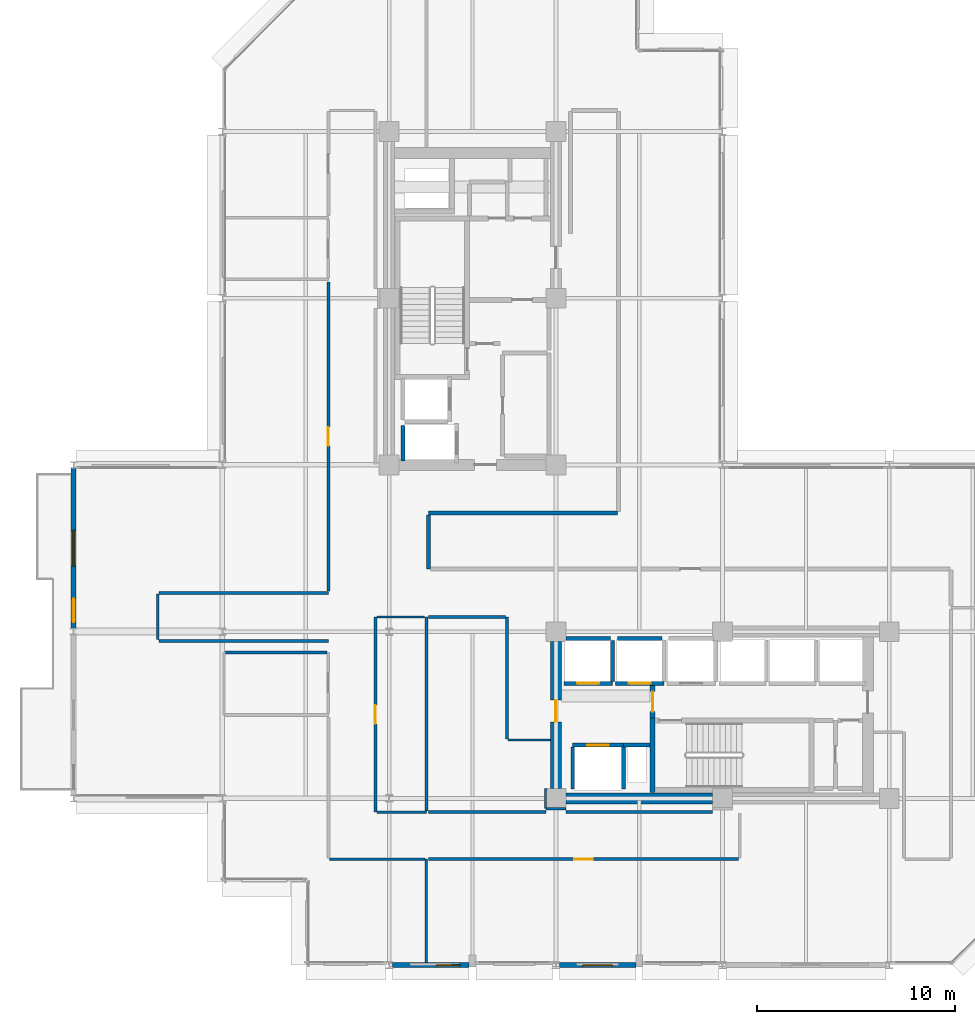
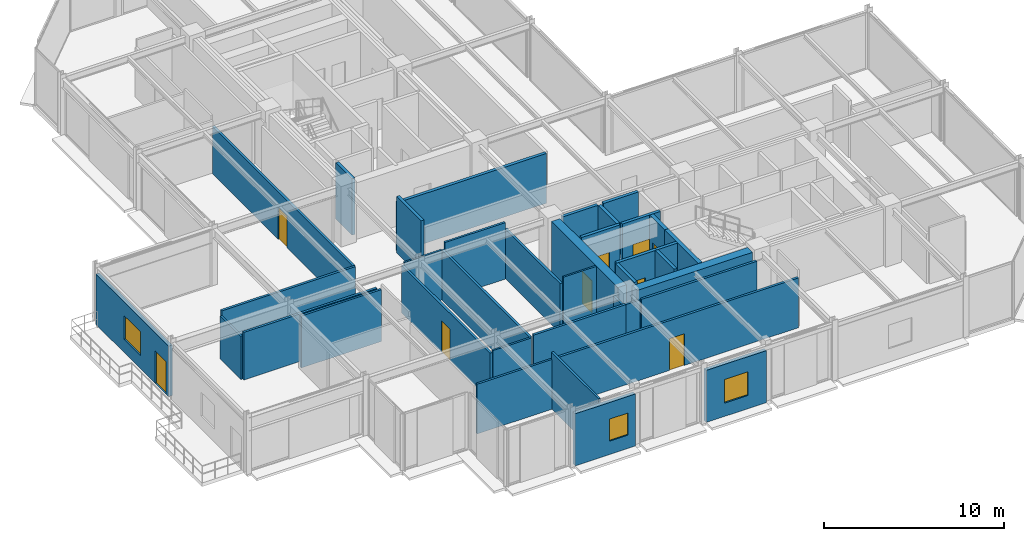
# One storey, part 24 of 29: 38 walls, 9 doors, 3 windows, 12 openings.
"""IFC4 building model written with IfcOpenShell, lengths in metres."""

from ifc_helpers import new_model, si_unit, direction, frame, frame_2d, origin, place, context, subcontext, project, spatial, rectangle, extrude, material, layer, layer_set, type_object, element, fill, save


model = new_model("IFC4")

# Units and contexts
model_context = context("Model", 3, precision=1e-05, world=origin(), true_north=direction((0.0, 1.0)))
body_context = subcontext(model_context, "Body", "Model", "MODEL_VIEW")
ifc_project = project(units=[si_unit("LENGTHUNIT", "METRE"), si_unit("AREAUNIT", "SQUARE_METRE"), si_unit("VOLUMEUNIT", "CUBIC_METRE"), si_unit("PLANEANGLEUNIT", "RADIAN"), si_unit("MASSUNIT", "GRAM", prefix="KILO")], contexts=[model_context])

# Site, building, storey
site_placement = place(None, origin())
site = spatial("IfcSite", under=ifc_project, at=site_placement, CompositionType="ELEMENT")
building_placement = place(site_placement, origin())
building = spatial("IfcBuilding", under=site, at=building_placement, Name="Nerrivon Quay Data Exchange", CompositionType="ELEMENT")
storey_placement = place(building_placement, frame((0.0, 0.0, 179.60009765625)))
storey = spatial("IfcBuildingStorey", under=building, at=storey_placement, Name="L42", CompositionType="ELEMENT", Elevation=179.60009765625)

# Wall, openings, door, window
ifc_material_1 = material(Name="Architectural terracotta precast concrete N50 (50 MPa)", Category="masonry")
ifc_layer_1 = layer(ifc_material_1, 0.239990234375)
ifc_layer_set_1 = layer_set([ifc_layer_1], Name="Architectural terracotta precast concrete N50 (50 MPa)")
wall_type_1 = type_object("IfcWallType", Name="EW-PREC-240", PredefinedType="STANDARD", material=ifc_layer_set_1)
wall_1_placement = place(storey_placement, frame((-7.5, 16.96337890625, 0.0), z_axis=(0.0, 0.0, 1.0), x_axis=(0.0, 1.0, 0.0)))
wall_1 = element("IfcWall", 1, at=wall_1_placement, inside=storey, type_object=wall_type_1, Name="L42 Terrace Host Wall 2", PredefinedType="STANDARD", context=body_context, shape_type="SweptSolid", body=[
    extrude(rectangle(XDim=8.0732421875, YDim=0.239990234375, at=frame_2d((4.03662109375, 0.0))), origin(), (0.0, 0.0, 1.0), 3.421875),
])
opening_1_placement = place(wall_1_placement, frame((0.300048828125, 0.0, 0.0)))
opening_1 = element("IfcOpeningElement", 2, at=opening_1_placement, cuts=wall_1, Name="Opening TD1", PredefinedType="OPENING", context=body_context, shape_type="SweptSolid", body=[
    extrude(rectangle(XDim=1.199951171875, YDim=2.199951171875, at=frame_2d((0.60009765625, 1.10009765625))), frame((0.0, 0.1298828125, 0.0), z_axis=(0.0, -1.0, 0.0), x_axis=(1.0, 0.0, 0.0)), (0.0, 0.0, 1.0), 0.260009765625),
])
opening_2_placement = place(wall_1_placement, frame((3.136474609375, 0.0, 0.89990234375)))
opening_2 = element("IfcOpeningElement", 3, at=opening_2_placement, cuts=wall_1, Name="Opening WN2", PredefinedType="OPENING", context=body_context, shape_type="SweptSolid", body=[
    extrude(rectangle(XDim=1.800048828125, YDim=1.60009765625, at=frame_2d((0.89990234375, 0.800048828125))), frame((0.0, 0.1298828125, 0.0), z_axis=(0.0, -1.0, 0.0), x_axis=(1.0, 0.0, 0.0)), (0.0, 0.0, 1.0), 0.260009765625),
])
ifc_material_2 = material(Name="Double-glazed low-E solar control glass", Category="glass")
door_type_1 = type_object("IfcDoorType", Name="DR-TERR-1200x2200", OperationType="NOTDEFINED", PredefinedType="DOOR", material=ifc_material_2)
door_1_placement = place(opening_1_placement, origin())
door_1 = element("IfcDoor", 4, at=door_1_placement, inside=storey, type_object=door_type_1, Name="L42 Outdoor Terrace Access Door 2", OperationType="SINGLE_SWING_LEFT", OverallHeight=2.199951171875, OverallWidth=1.199951171875, PredefinedType="DOOR", context=body_context, shape_type="SweptSolid", body=[
    extrude(rectangle(XDim=1.199951171875, YDim=2.199951171875, at=frame_2d((0.60009765625, 1.10009765625))), frame((0.0, 0.02490234375, 0.0), z_axis=(0.0, -1.0, 0.0), x_axis=(1.0, 0.0, 0.0)), (0.0, 0.0, 1.0), 0.050048828125),
])
fill(opening_1, door_1)
window_type_1 = type_object("IfcWindowType", Name="WIN-W2-1800x1600", PartitioningType="SINGLE_PANEL", PredefinedType="WINDOW", material=ifc_material_2)
window_1_placement = place(opening_2_placement, origin())
window_1 = element("IfcWindow", 5, at=window_1_placement, inside=storey, type_object=window_type_1, Name="L42 Terrace Side Window 2", OverallHeight=1.60009765625, OverallWidth=1.800048828125, PartitioningType="SINGLE_PANEL", PredefinedType="WINDOW", context=body_context, shape_type="SweptSolid", body=[
    extrude(rectangle(XDim=1.800048828125, YDim=1.60009765625, at=frame_2d((0.89990234375, 0.800048828125))), frame((0.0, 0.030029296875, 0.0), z_axis=(0.0, -1.0, 0.0), x_axis=(1.0, 0.0, 0.0)), (0.0, 0.0, 1.0), 0.06005859375),
])
fill(opening_2, window_1)

# Wall, opening, window
wall_2_placement = place(storey_placement, frame((20.824951171875, 0.0, 0.0), z_axis=(0.0, 0.0, 1.0), x_axis=(-1.0, 0.0, 0.0)))
wall_2 = element("IfcWall", 6, at=wall_2_placement, inside=storey, type_object=wall_type_1, Name="L42 Podium Precast Spandrel Wall 25", PredefinedType="STANDARD", context=body_context, shape_type="SweptSolid", body=[
    extrude(rectangle(XDim=3.849853515625, YDim=0.239990234375, at=frame_2d((1.9248046875, 0.0))), origin(), (0.0, 0.0, 1.0), 3.52490234375),
])
opening_3_placement = place(wall_2_placement, frame((1.175048828125, 0.0, 0.89990234375)))
opening_3 = element("IfcOpeningElement", 7, at=opening_3_placement, cuts=wall_2, Name="Opening WN4", PredefinedType="OPENING", context=body_context, shape_type="SweptSolid", body=[
    extrude(rectangle(XDim=1.5, YDim=1.60009765625, at=frame_2d((0.75, 0.800048828125))), frame((0.0, 0.1298828125, 0.0), z_axis=(0.0, -1.0, 0.0), x_axis=(1.0, 0.0, 0.0)), (0.0, 0.0, 1.0), 0.260009765625),
])
window_type_2 = type_object("IfcWindowType", Name="WIN-W4-1500x1600", PartitioningType="SINGLE_PANEL", PredefinedType="WINDOW", material=ifc_material_2)
window_2_placement = place(opening_3_placement, origin())
window_2 = element("IfcWindow", 8, at=window_2_placement, inside=storey, type_object=window_type_2, Name="L42 Solar Facade Window 25", OverallHeight=1.60009765625, OverallWidth=1.5, PartitioningType="SINGLE_PANEL", PredefinedType="WINDOW", context=body_context, shape_type="SweptSolid", body=[
    extrude(rectangle(XDim=1.5, YDim=1.60009765625, at=frame_2d((0.75, 0.800048828125))), frame((0.0, 0.030029296875, 0.0), z_axis=(0.0, -1.0, 0.0), x_axis=(1.0, 0.0, 0.0)), (0.0, 0.0, 1.0), 0.06005859375),
])
fill(opening_3, window_2)

wall_3_placement = place(storey_placement, frame((12.425048828125, 0.0, 0.0), z_axis=(0.0, 0.0, 1.0), x_axis=(-1.0, 0.0, 0.0)))
wall_3 = element("IfcWall", 9, at=wall_3_placement, inside=storey, type_object=wall_type_1, Name="L42 Podium Precast Spandrel Wall 27", PredefinedType="STANDARD", context=body_context, shape_type="SweptSolid", body=[
    extrude(rectangle(XDim=3.85009765625, YDim=0.239990234375, at=frame_2d((1.925048828125, 0.0))), origin(), (0.0, 0.0, 1.0), 3.52490234375),
])
opening_4_placement = place(wall_3_placement, frame((0.462646484375, 0.0, 0.89990234375)))
opening_4 = element("IfcOpeningElement", 10, at=opening_4_placement, cuts=wall_3, Name="Opening WN3", PredefinedType="OPENING", context=body_context, shape_type="SweptSolid", body=[
    extrude(rectangle(XDim=1.199951171875, YDim=1.5, at=frame_2d((0.60009765625, 0.75))), frame((0.0, 0.1298828125, 0.0), z_axis=(0.0, -1.0, 0.0), x_axis=(1.0, 0.0, 0.0)), (0.0, 0.0, 1.0), 0.260009765625),
])
window_type_3 = type_object("IfcWindowType", Name="WIN-W3-1200x1500", PartitioningType="SINGLE_PANEL", PredefinedType="WINDOW", material=ifc_material_2)
window_3_placement = place(opening_4_placement, origin())
window_3 = element("IfcWindow", 11, at=window_3_placement, inside=storey, type_object=window_type_3, Name="L42 Solar Facade Window 27", OverallHeight=1.5, OverallWidth=1.199951171875, PartitioningType="SINGLE_PANEL", PredefinedType="WINDOW", context=body_context, shape_type="SweptSolid", body=[
    extrude(rectangle(XDim=1.199951171875, YDim=1.5, at=frame_2d((0.60009765625, 0.75))), frame((0.0, 0.030029296875, 0.0), z_axis=(0.0, -1.0, 0.0), x_axis=(1.0, 0.0, 0.0)), (0.0, 0.0, 1.0), 0.06005859375),
])
fill(opening_4, window_3)

# Wall
ifc_material_3 = material(Name="Concrete S65 (65 MPa)", Category="concrete")
ifc_layer_2 = layer(ifc_material_3, 0.550048828125)
ifc_layer_set_2 = layer_set([ifc_layer_2], Name="Concrete S65 (65 MPa)")
wall_type_2 = type_object("IfcWallType", Name="WALL-CW-700", PredefinedType="SHEAR", material=ifc_layer_set_2)
wall_4_placement = place(storey_placement, frame((17.300048828125, 8.39990234375, 0.0), z_axis=(0.0, 0.0, 1.0), x_axis=(1.0, 0.0, 0.0)))
element("IfcWall", 12, at=wall_4_placement, inside=storey, type_object=wall_type_2, Name="L42 East Split-Core Shear Wall ECW-S1", PredefinedType="SHEAR", context=body_context, shape_type="SweptSolid", body=[
    extrude(rectangle(XDim=7.39990234375, YDim=0.550048828125, at=frame_2d((3.699951171875, 0.0))), origin(), (0.0, 0.0, 1.0), 3.824951171875),
])

# Wall, opening, door
wall_5_placement = place(storey_placement, frame((16.800048828125, 8.89990234375, 0.0), z_axis=(0.0, 0.0, 1.0), x_axis=(0.0, 1.0, 0.0)))
wall_5 = element("IfcWall", 13, at=wall_5_placement, inside=storey, type_object=wall_type_2, Name="L42 East Split-Core Shear Wall ECW-W1", PredefinedType="SHEAR", context=body_context, shape_type="SweptSolid", body=[
    extrude(rectangle(XDim=7.400146484375, YDim=0.550048828125, at=frame_2d((3.7001953125, 0.0))), origin(), (0.0, 0.0, 1.0), 3.824951171875),
])
opening_5_placement = place(wall_5_placement, frame((3.35009765625, 0.0, 0.0)))
opening_5 = element("IfcOpeningElement", 14, at=opening_5_placement, cuts=wall_5, Name="Opening FD-120", PredefinedType="OPENING", context=body_context, shape_type="SweptSolid", body=[
    extrude(rectangle(XDim=1.10009765625, YDim=2.14990234375, at=frame_2d((0.550048828125, 1.074951171875))), frame((0.0, 0.284912109375, 0.0), z_axis=(0.0, -1.0, 0.0), x_axis=(1.0, 0.0, 0.0)), (0.0, 0.0, 1.0), 0.570068359375),
])
ifc_material_4 = material(Name="Powder-coated galvanized steel sheet", Category="steel")
door_type_2 = type_object("IfcDoorType", Name="DR-FD120-1100", OperationType="NOTDEFINED", PredefinedType="DOOR", material=ifc_material_4)
door_2_placement = place(opening_5_placement, origin())
door_2 = element("IfcDoor", 15, at=door_2_placement, inside=storey, type_object=door_type_2, Name="L42 East Core Lobby Fire Door", OperationType="SINGLE_SWING_LEFT", OverallHeight=2.14990234375, OverallWidth=1.10009765625, PredefinedType="DOOR", context=body_context, shape_type="SweptSolid", body=[
    extrude(rectangle(XDim=1.10009765625, YDim=2.14990234375, at=frame_2d((0.550048828125, 1.074951171875))), frame((0.0, 0.02490234375, 0.0), z_axis=(0.0, -1.0, 0.0), x_axis=(1.0, 0.0, 0.0)), (0.0, 0.0, 1.0), 0.050048828125),
])
fill(opening_5, door_2)

# Walls
ifc_material_5 = material(Name="Gypsum plasterboard on cold-formed framing", Category="gypsum")
ifc_layer_3 = layer(ifc_material_5, 0.199951171875)
ifc_layer_set_3 = layer_set([ifc_layer_3], Name="Gypsum plasterboard on cold-formed framing")
wall_type_3 = type_object("IfcWallType", Name="WALL-FW-200", PredefinedType="PARTITIONING", material=ifc_layer_set_3)
wall_6_placement = place(storey_placement, frame((20.199951171875, 11.080078125, 0.0), z_axis=(0.0, 0.0, 1.0), x_axis=(1.0, 0.0, 0.0)))
element("IfcWall", 16, at=wall_6_placement, inside=storey, type_object=wall_type_3, Name="L42 East Core MEP Riser Shaft Wall N", PredefinedType="PARTITIONING", context=body_context, shape_type="SweptSolid", body=[
    extrude(rectangle(XDim=1.35009765625, YDim=0.199951171875, at=frame_2d((0.675048828125, 0.0))), origin(), (0.0, 0.0, 1.0), 3.824951171875),
])
wall_7_placement = place(storey_placement, frame((9.10009765625, 25.39990234375, 0.0), z_axis=(0.0, 0.0, 1.0), x_axis=(0.0, 1.0, 0.0)))
element("IfcWall", 17, at=wall_7_placement, inside=storey, type_object=wall_type_3, Name="L42 Lift Shaft Wall SVL-1 WEST", PredefinedType="PARTITIONING", context=body_context, shape_type="SweptSolid", body=[
    extrude(rectangle(XDim=1.800048828125, YDim=0.199951171875, at=frame_2d((0.89990234375, 0.0))), origin(), (0.0, 0.0, 1.0), 3.824951171875),
])

# Wall, opening, door
wall_8_placement = place(storey_placement, frame((17.64990234375, 11.080078125, 0.0), z_axis=(0.0, 0.0, 1.0), x_axis=(1.0, 0.0, 0.0)))
wall_8 = element("IfcWall", 18, at=wall_8_placement, inside=storey, type_object=wall_type_3, Name="L42 Lift Front Wall FFL-2", PredefinedType="PARTITIONING", context=body_context, shape_type="SweptSolid", body=[
    extrude(rectangle(XDim=2.550048828125, YDim=0.199951171875, at=frame_2d((1.27490234375, 0.0))), origin(), (0.0, 0.0, 1.0), 3.824951171875),
])
opening_6_placement = place(wall_8_placement, frame((0.72509765625, 0.0, 0.0)))
opening_6 = element("IfcOpeningElement", 19, at=opening_6_placement, cuts=wall_8, Name="Opening LD-120", PredefinedType="OPENING", context=body_context, shape_type="SweptSolid", body=[
    extrude(rectangle(XDim=1.10009765625, YDim=2.199951171875, at=frame_2d((0.550048828125, 1.10009765625))), frame((0.0, 0.10986328125, 0.0), z_axis=(0.0, -1.0, 0.0), x_axis=(1.0, 0.0, 0.0)), (0.0, 0.0, 1.0), 0.219970703125),
])
door_type_3 = type_object("IfcDoorType", Name="DR-LIFT-LD120", OperationType="DOUBLE_DOOR_SLIDING", PredefinedType="DOOR", material=ifc_material_4)
door_3_placement = place(opening_6_placement, origin())
door_3 = element("IfcDoor", 20, at=door_3_placement, inside=storey, type_object=door_type_3, Name="L42 Lift Landing Sliding Door FFL-2", OperationType="DOUBLE_DOOR_SLIDING", OverallHeight=2.199951171875, OverallWidth=1.10009765625, PredefinedType="DOOR", context=body_context, shape_type="SweptSolid", body=[
    extrude(rectangle(XDim=1.10009765625, YDim=2.199951171875, at=frame_2d((0.550048828125, 1.10009765625))), frame((0.0, 0.02490234375, 0.0), z_axis=(0.0, -1.0, 0.0), x_axis=(1.0, 0.0, 0.0)), (0.0, 0.0, 1.0), 0.050048828125),
])
fill(opening_6, door_3)

# Walls
for number, where, z_axis, x_axis, name in (
    (21, (20.199951171875, 8.8798828125, 0.0), (0.0, 0.0, 1.0), (0.0, 1.0, 0.0), "L42 Lift Shaft Wall FFL-2 EAST"),
    (22, (17.64990234375, 8.8798828125, 0.0), (0.0, 0.0, 1.0), (0.0, 1.0, 0.0), "L42 Lift Shaft Wall FFL-2 WEST"),
):
    element("IfcWall", number, at=place(storey_placement, frame(where, z_axis=z_axis, x_axis=x_axis)), inside=storey, type_object=wall_type_3, Name=name, PredefinedType="PARTITIONING", context=body_context, shape_type="SweptSolid", body=[
        extrude(rectangle(XDim=2.10009765625, YDim=0.199951171875, at=frame_2d((1.050048828125, 0.0))), origin(), (0.0, 0.0, 1.0), 3.824951171875),
    ])

# Wall, opening, door
wall_9_placement = place(storey_placement, frame((17.199951171875, 14.199951171875, 0.0), z_axis=(0.0, 0.0, 1.0), x_axis=(1.0, 0.0, 0.0)))
wall_9 = element("IfcWall", 23, at=wall_9_placement, inside=storey, type_object=wall_type_3, Name="L42 Lift Front Wall PL4", PredefinedType="PARTITIONING", context=body_context, shape_type="SweptSolid", body=[
    extrude(rectangle(XDim=2.449951171875, YDim=0.199951171875, at=frame_2d((1.22509765625, 0.0))), origin(), (0.0, 0.0, 1.0), 3.824951171875),
])
opening_7_placement = place(wall_9_placement, frame((0.675048828125, 0.0, 0.0)))
opening_7 = element("IfcOpeningElement", 24, at=opening_7_placement, cuts=wall_9, Name="Opening LD-120", PredefinedType="OPENING", context=body_context, shape_type="SweptSolid", body=[
    extrude(rectangle(XDim=1.10009765625, YDim=2.199951171875, at=frame_2d((0.550048828125, 1.10009765625))), frame((0.0, 0.10986328125, 0.0), z_axis=(0.0, -1.0, 0.0), x_axis=(1.0, 0.0, 0.0)), (0.0, 0.0, 1.0), 0.219970703125),
])
door_4_placement = place(opening_7_placement, origin())
door_4 = element("IfcDoor", 25, at=door_4_placement, inside=storey, type_object=door_type_3, Name="L42 Lift Landing Sliding Door PL4", OperationType="DOUBLE_DOOR_SLIDING", OverallHeight=2.199951171875, OverallWidth=1.10009765625, PredefinedType="DOOR", context=body_context, shape_type="SweptSolid", body=[
    extrude(rectangle(XDim=1.10009765625, YDim=2.199951171875, at=frame_2d((0.550048828125, 1.10009765625))), frame((0.0, 0.02490234375, 0.0), z_axis=(0.0, -1.0, 0.0), x_axis=(1.0, 0.0, 0.0)), (0.0, 0.0, 1.0), 0.050048828125),
])
fill(opening_7, door_4)

# Walls
wall_10_placement = place(storey_placement, frame((19.64990234375, 14.300048828125, 0.0), z_axis=(0.0, 0.0, 1.0), x_axis=(0.0, 1.0, 0.0)))
element("IfcWall", 26, at=wall_10_placement, inside=storey, type_object=wall_type_3, Name="L42 Lift Shaft Wall PL4 EAST", PredefinedType="PARTITIONING", context=body_context, shape_type="SweptSolid", body=[
    extrude(rectangle(XDim=2.050048828125, YDim=0.199951171875, at=frame_2d((1.02490234375, 0.0))), origin(), (0.0, 0.0, 1.0), 3.824951171875),
])
wall_11_placement = place(storey_placement, frame((17.300048828125, 16.449951171875, 0.0), z_axis=(0.0, 0.0, 1.0), x_axis=(1.0, 0.0, 0.0)))
element("IfcWall", 27, at=wall_11_placement, inside=storey, type_object=wall_type_3, Name="L42 Lift Shaft Wall PL4 NORTH", PredefinedType="PARTITIONING", context=body_context, shape_type="SweptSolid", body=[
    extrude(rectangle(XDim=2.25, YDim=0.199951171875, at=frame_2d((1.125, 0.0))), origin(), (0.0, 0.0, 1.0), 3.824951171875),
])

# Wall, opening, door
wall_12_placement = place(storey_placement, frame((19.800048828125, 14.199951171875, 0.0), z_axis=(0.0, 0.0, 1.0), x_axis=(1.0, 0.0, 0.0)))
wall_12 = element("IfcWall", 28, at=wall_12_placement, inside=storey, type_object=wall_type_3, Name="L42 Lift Front Wall PL5", PredefinedType="PARTITIONING", context=body_context, shape_type="SweptSolid", body=[
    extrude(rectangle(XDim=2.449951171875, YDim=0.199951171875, at=frame_2d((1.22509765625, 0.0))), origin(), (0.0, 0.0, 1.0), 3.824951171875),
])
opening_8_placement = place(wall_12_placement, frame((0.675048828125, 0.0, 0.0)))
opening_8 = element("IfcOpeningElement", 29, at=opening_8_placement, cuts=wall_12, Name="Opening LD-120", PredefinedType="OPENING", context=body_context, shape_type="SweptSolid", body=[
    extrude(rectangle(XDim=1.10009765625, YDim=2.199951171875, at=frame_2d((0.550048828125, 1.10009765625))), frame((0.0, 0.10986328125, 0.0), z_axis=(0.0, -1.0, 0.0), x_axis=(1.0, 0.0, 0.0)), (0.0, 0.0, 1.0), 0.219970703125),
])
door_5_placement = place(opening_8_placement, origin())
door_5 = element("IfcDoor", 30, at=door_5_placement, inside=storey, type_object=door_type_3, Name="L42 Lift Landing Sliding Door PL5", OperationType="DOUBLE_DOOR_SLIDING", OverallHeight=2.199951171875, OverallWidth=1.10009765625, PredefinedType="DOOR", context=body_context, shape_type="SweptSolid", body=[
    extrude(rectangle(XDim=1.10009765625, YDim=2.199951171875, at=frame_2d((0.550048828125, 1.10009765625))), frame((0.0, 0.02490234375, 0.0), z_axis=(0.0, -1.0, 0.0), x_axis=(1.0, 0.0, 0.0)), (0.0, 0.0, 1.0), 0.050048828125),
])
fill(opening_8, door_5)

# Walls
wall_13_placement = place(storey_placement, frame((19.89990234375, 16.449951171875, 0.0), z_axis=(0.0, 0.0, 1.0), x_axis=(1.0, 0.0, 0.0)))
element("IfcWall", 31, at=wall_13_placement, inside=storey, type_object=wall_type_3, Name="L42 Lift Shaft Wall PL5 NORTH", PredefinedType="PARTITIONING", context=body_context, shape_type="SweptSolid", body=[
    extrude(rectangle(XDim=2.25, YDim=0.199951171875, at=frame_2d((1.125, 0.0))), origin(), (0.0, 0.0, 1.0), 3.824951171875),
])
wall_14_placement = place(storey_placement, frame((19.89990234375, 22.7900390625, 0.0), z_axis=(0.0, 0.0, 1.0), x_axis=(-1.0, 0.0, 0.0)))
element("IfcWall", 32, at=wall_14_placement, inside=storey, type_object=wall_type_3, Name="L42 Partition Colocation Data Workspace 1", PredefinedType="PARTITIONING", context=body_context, shape_type="SweptSolid", body=[
    extrude(rectangle(XDim=9.510009765625, YDim=0.199951171875, at=frame_2d((4.7548828125, 0.0))), origin(), (0.0, 0.0, 1.0), 3.370849609375),
])
wall_15_placement = place(storey_placement, frame((10.389892578125, 22.68603515625, 0.0), z_axis=(0.0, 0.0, 1.0), x_axis=(0.0, -1.0, 0.0)))
element("IfcWall", 33, at=wall_15_placement, inside=storey, type_object=wall_type_3, Name="L42 Partition Colocation Data Workspace 1", PredefinedType="PARTITIONING", context=body_context, shape_type="SweptSolid", body=[
    extrude(rectangle(XDim=2.72607421875, YDim=0.199951171875, at=frame_2d((1.363037109375, 0.0))), origin(), (0.0, 0.0, 1.0), 3.824951171875),
])
ifc_layer_4 = layer(ifc_material_5, 0.1201171875)
ifc_layer_set_4 = layer_set([ifc_layer_4], Name="Gypsum plasterboard on cold-formed framing")
wall_type_4 = type_object("IfcWallType", Name="WALL-PT-120", PredefinedType="PARTITIONING", material=ifc_layer_set_4)
wall_16_placement = place(storey_placement, frame((7.7890625, 7.7099609375, 0.0), z_axis=(0.0, 0.0, 1.0), x_axis=(1.0, 0.0, 0.0)))
element("IfcWall", 34, at=wall_16_placement, inside=storey, type_object=wall_type_4, Name="L42 Partition Staff Pantry", PredefinedType="PARTITIONING", context=body_context, shape_type="SweptSolid", body=[
    extrude(rectangle(XDim=2.480712890625, YDim=0.1201171875, at=frame_2d((1.240234375, 0.0))), origin(), (0.0, 0.0, 1.0), 3.370849609375),
])
wall_17_placement = place(storey_placement, frame((10.19091796875, 17.5400390625, 0.0), z_axis=(0.0, 0.0, 1.0), x_axis=(-1.0, 0.0, 0.0)))
element("IfcWall", 35, at=wall_17_placement, inside=storey, type_object=wall_type_4, Name="L42 Partition Staff Pantry", PredefinedType="PARTITIONING", context=body_context, shape_type="SweptSolid", body=[
    extrude(rectangle(XDim=2.40185546875, YDim=0.1201171875, at=frame_2d((1.200927734375, 0.0))), origin(), (0.0, 0.0, 1.0), 3.370849609375),
])
wall_18_placement = place(storey_placement, frame((-3.259765625, 16.39404296875, 0.0), z_axis=(0.0, 0.0, 1.0), x_axis=(-0.000105876124, 0.999999994395, 0.0)))
element("IfcWall", 36, at=wall_18_placement, inside=storey, type_object=wall_type_4, Name="L42 Partition Mail and Crew Room", PredefinedType="PARTITIONING", context=body_context, shape_type="SweptSolid", body=[
    extrude(rectangle(XDim=2.305908203125, YDim=0.1201171875, at=frame_2d((1.15283203125, 0.0))), origin(), (0.0, 0.0, 1.0), 2.914794921875),
])
wall_19_placement = place(storey_placement, frame((17.303955078125, 7.88037109375, 0.0), z_axis=(0.0, 0.0, 1.0), x_axis=(-0.999999881717, -0.000486381265, 0.0)))
element("IfcWall", 37, at=wall_19_placement, inside=storey, type_object=wall_type_4, Name="L42 Partition Technical Library", PredefinedType="PARTITIONING", context=body_context, shape_type="SweptSolid", body=[
    extrude(rectangle(XDim=1.00390625, YDim=0.1201171875, at=frame_2d((0.501953125, 0.0))), origin(), (0.0, 0.0, 1.0), 3.370849609375),
])
wall_20_placement = place(storey_placement, frame((16.280029296875, 7.89990234375, 0.0), z_axis=(0.0, 0.0, 1.0), x_axis=(0.000486381265, 0.999999881717, 0.0)))
element("IfcWall", 38, at=wall_20_placement, inside=storey, type_object=wall_type_4, Name="L42 Partition Technical Library", PredefinedType="PARTITIONING", context=body_context, shape_type="SweptSolid", body=[
    extrude(rectangle(XDim=1.00390625, YDim=0.1201171875, at=frame_2d((0.501953125, 0.0))), origin(), (0.0, 0.0, 1.0), 3.364990234375),
])
wall_21_placement = place(storey_placement, frame((16.52099609375, 11.340087890625, 0.0), z_axis=(0.0, 0.0, 1.0), x_axis=(-1.0, 0.0, 0.0)))
element("IfcWall", 39, at=wall_21_placement, inside=storey, type_object=wall_type_4, Name="L42 Partition Technical Library", PredefinedType="PARTITIONING", context=body_context, shape_type="SweptSolid", body=[
    extrude(rectangle(XDim=2.12109375, YDim=0.1201171875, at=frame_2d((1.060546875, 0.0))), origin(), (0.0, 0.0, 1.0), 3.824951171875),
])
ifc_layer_5 = layer(ifc_material_5, 0.135009765625)
ifc_layer_set_5 = layer_set([ifc_layer_5], Name="Gypsum plasterboard on cold-formed framing")
wall_type_5 = type_object("IfcWallType", Name="WALL-PT-135", PredefinedType="PARTITIONING", material=ifc_layer_set_5)
wall_22_placement = place(storey_placement, frame((5.27587890625, 15.75, 0.0), z_axis=(0.0, 0.0, 1.0), x_axis=(-1.0, 0.0, 0.0)))
element("IfcWall", 40, at=wall_22_placement, inside=storey, type_object=wall_type_5, Name="L42 Partition Accessible Toilet", PredefinedType="PARTITIONING", context=body_context, shape_type="SweptSolid", body=[
    extrude(rectangle(XDim=5.1318359375, YDim=0.135009765625, at=frame_2d((2.56591796875, 0.0))), origin(), (0.0, 0.0, 1.0), 3.517822265625),
])
wall_23_placement = place(storey_placement, frame((10.269775390625, 0.1240234375, 0.0), z_axis=(0.0, 0.0, 1.0), x_axis=(0.0, 1.0, 0.0)))
element("IfcWall", 41, at=wall_23_placement, inside=storey, type_object=wall_type_5, Name="L42 Partition Mail and Crew Room", PredefinedType="PARTITIONING", context=body_context, shape_type="SweptSolid", body=[
    extrude(rectangle(XDim=5.216064453125, YDim=0.135009765625, at=frame_2d((2.60791015625, 0.0))), origin(), (0.0, 0.0, 1.0), 3.824951171875),
])
wall_24_placement = place(storey_placement, frame((10.1982421875, 5.340087890625, 0.0), z_axis=(0.0, 0.0, 1.0), x_axis=(-1.0, 0.0, 0.0)))
element("IfcWall", 42, at=wall_24_placement, inside=storey, type_object=wall_type_5, Name="L42 Partition Mail and Crew Room", PredefinedType="PARTITIONING", context=body_context, shape_type="SweptSolid", body=[
    extrude(rectangle(XDim=4.79833984375, YDim=0.135009765625, at=frame_2d((2.399169921875, 0.0))), origin(), (0.0, 0.0, 1.0), 3.370849609375),
])
wall_25_placement = place(storey_placement, frame((14.260986328125, 17.5400390625, 0.0), z_axis=(0.0, 0.0, 1.0), x_axis=(-1.0, 0.0, 0.0)))
element("IfcWall", 43, at=wall_25_placement, inside=storey, type_object=wall_type_5, Name="L42 Partition Technical Library", PredefinedType="PARTITIONING", context=body_context, shape_type="SweptSolid", body=[
    extrude(rectangle(XDim=3.87109375, YDim=0.135009765625, at=frame_2d((1.935546875, 0.0))), origin(), (0.0, 0.0, 1.0), 3.824951171875),
])

# Wall, opening, door
ifc_layer_6 = layer(ifc_material_5, 0.14990234375)
ifc_layer_set_6 = layer_set([ifc_layer_6], Name="Gypsum plasterboard on cold-formed framing")
wall_type_6 = type_object("IfcWallType", Name="WALL-PT-150", PredefinedType="PARTITIONING", material=ifc_layer_set_6)
wall_26_placement = place(storey_placement, frame((7.7099609375, 17.5400390625, 0.0), z_axis=(0.0, 0.0, 1.0), x_axis=(0.0, -1.0, 0.0)))
wall_26 = element("IfcWall", 44, at=wall_26_placement, inside=storey, type_object=wall_type_6, Name="L42 Partition Staff Pantry", PredefinedType="PARTITIONING", context=body_context, shape_type="SweptSolid", body=[
    extrude(rectangle(XDim=9.830078125, YDim=0.14990234375, at=frame_2d((4.9150390625, 0.0))), origin(), (0.0, 0.0, 1.0), 3.212890625),
])
opening_9_placement = place(wall_26_placement, frame((4.43994140625, 0.0, 0.0)))
opening_9 = element("IfcOpeningElement", 45, at=opening_9_placement, cuts=wall_26, Name="Opening D-01", PredefinedType="OPENING", context=body_context, shape_type="SweptSolid", body=[
    extrude(rectangle(XDim=0.949951171875, YDim=2.14990234375, at=frame_2d((0.47509765625, 1.074951171875))), frame((0.0, 0.0849609375, 0.0), z_axis=(0.0, -1.0, 0.0), x_axis=(1.0, 0.0, 0.0)), (0.0, 0.0, 1.0), 0.169921875),
])
ifc_material_6 = material(Name="Engineered hardwood timber", Category="wood")
door_type_4 = type_object("IfcDoorType", Name="DR-INT-950", OperationType="NOTDEFINED", PredefinedType="DOOR", material=ifc_material_6)
door_6_placement = place(opening_9_placement, origin())
door_6 = element("IfcDoor", 46, at=door_6_placement, inside=storey, type_object=door_type_4, Name="L42 Door Staff Pantry", OperationType="SINGLE_SWING_RIGHT", OverallHeight=2.14990234375, OverallWidth=0.949951171875, PredefinedType="DOOR", context=body_context, shape_type="SweptSolid", body=[
    extrude(rectangle(XDim=0.949951171875, YDim=2.14990234375, at=frame_2d((0.47509765625, 1.074951171875))), frame((0.0, 0.02490234375, 0.0), z_axis=(0.0, -1.0, 0.0), x_axis=(1.0, 0.0, 0.0)), (0.0, 0.0, 1.0), 0.050048828125),
])
fill(opening_9, door_6)

# Walls
wall_27_placement = place(storey_placement, frame((10.269775390625, 7.77392578125, 0.0), z_axis=(0.0, 0.0, 1.0), x_axis=(0.0, 1.0, 0.0)))
element("IfcWall", 47, at=wall_27_placement, inside=storey, type_object=wall_type_6, Name="L42 Partition Staff Pantry", PredefinedType="PARTITIONING", context=body_context, shape_type="SweptSolid", body=[
    extrude(rectangle(XDim=9.76611328125, YDim=0.14990234375, at=frame_2d((4.883056640625, 0.0))), origin(), (0.0, 0.0, 1.0), 3.364990234375),
])
for number, where, z_axis, x_axis, name in (
    (48, (5.340087890625, 16.340087890625, 0.0), (0.0, 0.0, 1.0), (-1.0, 0.0, 0.0), "L42 Partition Mail and Crew Room"),
    (49, (-3.199951171875, 18.760009765625, 0.0), (0.0, 0.0, 1.0), (1.0, 0.0, 0.0), "L42 Partition Mail and Crew Room"),
):
    element("IfcWall", number, at=place(storey_placement, frame(where, z_axis=z_axis, x_axis=x_axis)), inside=storey, type_object=wall_type_6, Name=name, PredefinedType="PARTITIONING", context=body_context, shape_type="SweptSolid", body=[
        extrude(rectangle(XDim=8.5400390625, YDim=0.14990234375, at=frame_2d((4.27001953125, 0.0))), origin(), (0.0, 0.0, 1.0), 3.222900390625),
    ])

# Wall, opening, door
wall_28_placement = place(storey_placement, frame((5.340087890625, 18.839111328125, 0.0), z_axis=(0.0, 0.0, 1.0), x_axis=(0.0, 1.0, 0.0)))
wall_28 = element("IfcWall", 50, at=wall_28_placement, inside=storey, type_object=wall_type_6, Name="L42 Partition Mail and Crew Room", PredefinedType="PARTITIONING", context=body_context, shape_type="SweptSolid", body=[
    extrude(rectangle(XDim=15.5908203125, YDim=0.14990234375, at=frame_2d((7.79541015625, 0.0))), origin(), (0.0, 0.0, 1.0), 3.212890625),
])
opening_10_placement = place(wall_28_placement, frame((7.320556640625, 0.0, 0.0)))
opening_10 = element("IfcOpeningElement", 51, at=opening_10_placement, cuts=wall_28, Name="Opening D-01", PredefinedType="OPENING", context=body_context, shape_type="SweptSolid", body=[
    extrude(rectangle(XDim=0.949951171875, YDim=2.14990234375, at=frame_2d((0.47509765625, 1.074951171875))), frame((0.0, 0.0849609375, 0.0), z_axis=(0.0, -1.0, 0.0), x_axis=(1.0, 0.0, 0.0)), (0.0, 0.0, 1.0), 0.169921875),
])
door_7_placement = place(opening_10_placement, origin())
door_7 = element("IfcDoor", 52, at=door_7_placement, inside=storey, type_object=door_type_4, Name="L42 Door Mail and Crew Room", OperationType="SINGLE_SWING_RIGHT", OverallHeight=2.14990234375, OverallWidth=0.949951171875, PredefinedType="DOOR", context=body_context, shape_type="SweptSolid", body=[
    extrude(rectangle(XDim=0.949951171875, YDim=2.14990234375, at=frame_2d((0.47509765625, 1.074951171875))), frame((0.0, 0.02490234375, 0.0), z_axis=(0.0, -1.0, 0.0), x_axis=(1.0, 0.0, 0.0)), (0.0, 0.0, 1.0), 0.050048828125),
])
fill(opening_10, door_7)

wall_29_placement = place(storey_placement, frame((26.0, 5.340087890625, 0.0), z_axis=(0.0, 0.0, 1.0), x_axis=(-1.0, 0.0, 0.0)))
wall_29 = element("IfcWall", 53, at=wall_29_placement, inside=storey, type_object=wall_type_6, Name="L42 Partition Technical Library", PredefinedType="PARTITIONING", context=body_context, shape_type="SweptSolid", body=[
    extrude(rectangle(XDim=15.610107421875, YDim=0.14990234375, at=frame_2d((7.80517578125, 0.0))), origin(), (0.0, 0.0, 1.0), 3.370849609375),
])
opening_11_placement = place(wall_29_placement, frame((7.330078125, 0.0, 0.0)))
opening_11 = element("IfcOpeningElement", 54, at=opening_11_placement, cuts=wall_29, Name="Opening D-01", PredefinedType="OPENING", context=body_context, shape_type="SweptSolid", body=[
    extrude(rectangle(XDim=0.949951171875, YDim=2.14990234375, at=frame_2d((0.47509765625, 1.074951171875))), frame((0.0, 0.0849609375, 0.0), z_axis=(0.0, -1.0, 0.0), x_axis=(1.0, 0.0, 0.0)), (0.0, 0.0, 1.0), 0.169921875),
])
door_8_placement = place(opening_11_placement, origin())
door_8 = element("IfcDoor", 55, at=door_8_placement, inside=storey, type_object=door_type_4, Name="L42 Door Technical Library", OperationType="SINGLE_SWING_LEFT", OverallHeight=2.14990234375, OverallWidth=0.949951171875, PredefinedType="DOOR", context=body_context, shape_type="SweptSolid", body=[
    extrude(rectangle(XDim=0.949951171875, YDim=2.14990234375, at=frame_2d((0.47509765625, 1.074951171875))), frame((0.0, 0.02490234375, 0.0), z_axis=(0.0, -1.0, 0.0), x_axis=(1.0, 0.0, 0.0)), (0.0, 0.0, 1.0), 0.050048828125),
])
fill(opening_11, door_8)

# Walls
wall_30_placement = place(storey_placement, frame((14.340087890625, 11.39990234375, 0.0), z_axis=(0.0, 0.0, 1.0), x_axis=(0.0, 1.0, 0.0)))
element("IfcWall", 56, at=wall_30_placement, inside=storey, type_object=wall_type_6, Name="L42 Partition Technical Library", PredefinedType="PARTITIONING", context=body_context, shape_type="SweptSolid", body=[
    extrude(rectangle(XDim=6.14013671875, YDim=0.14990234375, at=frame_2d((3.070068359375, 0.0))), origin(), (0.0, 0.0, 1.0), 3.364990234375),
])
wall_31_placement = place(storey_placement, frame((10.389892578125, 7.7099609375, 0.0), z_axis=(0.0, 0.0, 1.0), x_axis=(1.0, 0.0, 0.0)))
element("IfcWall", 57, at=wall_31_placement, inside=storey, type_object=wall_type_6, Name="L42 Partition Technical Library", PredefinedType="PARTITIONING", context=body_context, shape_type="SweptSolid", body=[
    extrude(rectangle(XDim=5.91015625, YDim=0.14990234375, at=frame_2d((2.955078125, 0.0))), origin(), (0.0, 0.0, 1.0), 3.517822265625),
])
wall_32_placement = place(storey_placement, frame((17.303955078125, 7.7099609375, 0.0), z_axis=(0.0, 0.0, 1.0), x_axis=(1.0, 0.0, 0.0)))
element("IfcWall", 58, at=wall_32_placement, inside=storey, type_object=wall_type_6, Name="L42 Partition Technical Library", PredefinedType="PARTITIONING", context=body_context, shape_type="SweptSolid", body=[
    extrude(rectangle(XDim=7.396240234375, YDim=0.14990234375, at=frame_2d((3.6982421875, 0.0))), origin(), (0.0, 0.0, 1.0), 3.517822265625),
])
ifc_material_7 = material(Name="Concrete N50 (50 MPa)", Category="concrete")
ifc_layer_7 = layer(ifc_material_7, 0.25)
ifc_layer_set_7 = layer_set([ifc_layer_7], Name="Concrete N50 (50 MPa)")
wall_type_7 = type_object("IfcWallType", Name="WALL-SW-250", PredefinedType="SHEAR", material=ifc_layer_set_7)
wall_33_placement = place(storey_placement, frame((21.675048828125, 8.699951171875, 0.0), z_axis=(0.0, 0.0, 1.0), x_axis=(0.0, 1.0, 0.0)))
element("IfcWall", 59, at=wall_33_placement, inside=storey, type_object=wall_type_7, Name="L42 ST02 Structural Stair Core Wall NEAR", PredefinedType="SHEAR", context=body_context, shape_type="SweptSolid", body=[
    extrude(rectangle(XDim=3.75, YDim=0.25, at=frame_2d((1.875, 0.0))), origin(), (0.0, 0.0, 1.0), 3.824951171875),
])

# Wall, opening, door
wall_34_placement = place(storey_placement, frame((21.679931640625, 12.449951171875, 0.0), z_axis=(0.0, 0.0, 1.0), x_axis=(0.0, 1.0, 0.0)))
wall_34 = element("IfcWall", 60, at=wall_34_placement, inside=storey, type_object=wall_type_7, Name="L42 East Firefighting Lobby Wall", PredefinedType="SHEAR", context=body_context, shape_type="SweptSolid", body=[
    extrude(rectangle(XDim=1.650146484375, YDim=0.25, at=frame_2d((0.8251953125, 0.0))), origin(), (0.0, 0.0, 1.0), 3.824951171875),
])
opening_12_placement = place(wall_34_placement, frame((0.324951171875, 0.0, 0.0)))
opening_12 = element("IfcOpeningElement", 61, at=opening_12_placement, cuts=wall_34, Name="Opening FD-60", PredefinedType="OPENING", context=body_context, shape_type="SweptSolid", body=[
    extrude(rectangle(XDim=1.0, YDim=2.14990234375, at=frame_2d((0.5, 1.074951171875))), frame((0.0, 0.135009765625, 0.0), z_axis=(0.0, -1.0, 0.0), x_axis=(1.0, 0.0, 0.0)), (0.0, 0.0, 1.0), 0.27001953125),
])
door_type_5 = type_object("IfcDoorType", Name="DR-FD60-1000", OperationType="NOTDEFINED", PredefinedType="DOOR", material=ifc_material_6)
door_9_placement = place(opening_12_placement, origin())
door_9 = element("IfcDoor", 62, at=door_9_placement, inside=storey, type_object=door_type_5, Name="L42 East Firefighting Lobby Fire Door", OperationType="SINGLE_SWING_LEFT", OverallHeight=2.14990234375, OverallWidth=1.0, PredefinedType="DOOR", context=body_context, shape_type="SweptSolid", body=[
    extrude(rectangle(XDim=1.0, YDim=2.14990234375, at=frame_2d((0.5, 1.074951171875))), frame((0.0, 0.02490234375, 0.0), z_axis=(0.0, -1.0, 0.0), x_axis=(1.0, 0.0, 0.0)), (0.0, 0.0, 1.0), 0.050048828125),
])
fill(opening_12, door_9)

save(model, "model.ifc")
